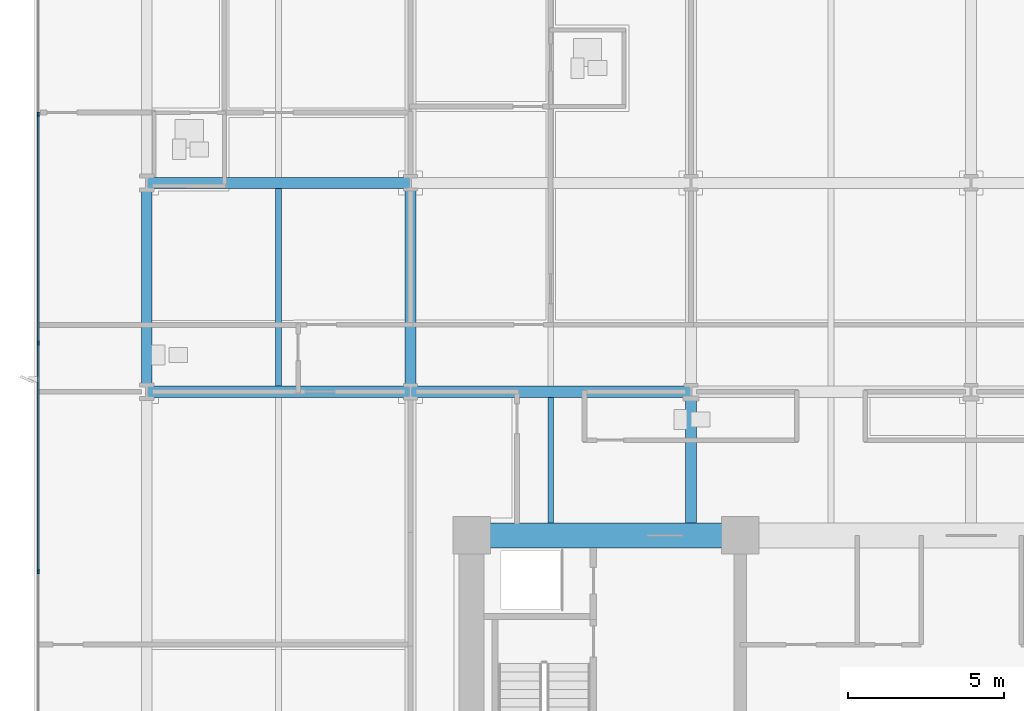
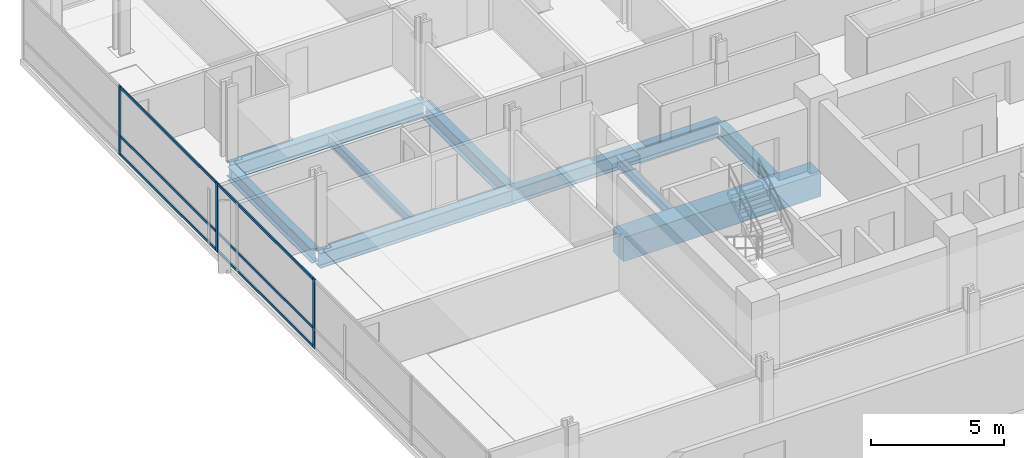
# One storey, part 4 of 20: 9 beams, 9 members, 1 element without a shape of its own.
"""IFC4 building model written with IfcOpenShell, lengths in metres."""

import ifcopenshell
import ifcopenshell.guid

model = None  # the IFC model being written
_history = None  # IfcOwnerHistory: only IFC2X3 demands one
_inside = {}  # id of a spatial element -> (the spatial element, [elements in it])
_under = {}  # id of a project, library or spatial element -> (it, [spatial elements below it])
_declared = {}  # id of a project -> (the project, [libraries it declares])
_typed = {}  # id of a type object -> (the type object, [elements of that type])
_made_of = {}  # id of a material, layer set ... -> (it, [elements and type objects made of it])


def new_model(schema):
    """Start an empty IFC model of exactly this schema.

    Asked for "IFC4X3", IfcOpenShell would pick the latest addendum, in which some entities
    have other attributes; the version numbers below select the first issue.
    IFC2X3 requires an IfcOwnerHistory on every rooted entity: one is made here for all.
    """
    global model, _history
    if schema == "IFC4X3":
        model = ifcopenshell.file(schema_version=(4, 3, 0, 0))
    else:
        model = ifcopenshell.file(schema=schema)
    _inside.clear()
    _under.clear()
    _declared.clear()
    _typed.clear()
    _made_of.clear()
    _history = None
    if model.schema == "IFC2X3":
        org = make("IfcOrganization", Name="unknown")
        user = make(
            "IfcPersonAndOrganization",
            ThePerson=make("IfcPerson", FamilyName="unknown"),
            TheOrganization=org,
        )
        app = make(
            "IfcApplication",
            ApplicationDeveloper=org,
            Version="unknown",
            ApplicationFullName="unknown",
            ApplicationIdentifier="unknown",
        )
        _history = make(
            "IfcOwnerHistory",
            OwningUser=user,
            OwningApplication=app,
            ChangeAction="ADDED",
            CreationDate=0,
        )
    return model


def make(cls, **values):
    """One entity of the class cls with the attributes given. An attribute that is None is left unset."""
    return model.create_entity(
        cls, **{name: value for name, value in values.items() if value is not None}
    )


def rooted(cls, **values):
    """An entity with a GlobalId (a new one), such as an element, a storey or a relation."""
    return make(cls, GlobalId=ifcopenshell.guid.new(), OwnerHistory=_history, **values)


def si_unit(unit_type, name, prefix=None):
    """IfcSIUnit, for example si_unit("LENGTHUNIT", "METRE", prefix="MILLI")."""
    return make("IfcSIUnit", UnitType=unit_type, Prefix=prefix, Name=name)


def assignment(units):
    """IfcUnitAssignment: the units of a project."""
    return None if units is None else make("IfcUnitAssignment", Units=units)


def point(xyz):
    """IfcCartesianPoint."""
    return None if xyz is None else make("IfcCartesianPoint", Coordinates=xyz)


def direction(xyz):
    """IfcDirection."""
    return None if xyz is None else make("IfcDirection", DirectionRatios=xyz)


def frame(location, z_axis=None, x_axis=None):
    """IfcAxis2Placement3D, a coordinate frame: its origin and axes. An axis left out is left unset."""
    return make(
        "IfcAxis2Placement3D",
        Location=point(location),
        Axis=direction(z_axis),
        RefDirection=direction(x_axis),
    )


def frame_2d(location, x_axis=None):
    """IfcAxis2Placement2D, a coordinate frame in the plane: its origin and x axis."""
    return make(
        "IfcAxis2Placement2D", Location=point(location), RefDirection=direction(x_axis)
    )


def origin():
    """The frame at (0, 0, 0) with its axes left unset."""
    return frame((0.0, 0.0, 0.0))


def origin_2d():
    """The frame at (0, 0) in the plane with its x axis left unset."""
    return frame_2d((0.0, 0.0))


def place(relative_to, where):
    """IfcLocalPlacement: puts the frame where relative to a parent placement (None: the world)."""
    return make(
        "IfcLocalPlacement", PlacementRelTo=relative_to, RelativePlacement=where
    )


def context(
    kind, dimensions, precision=None, world=None, true_north=None, identifier=None
):
    """IfcGeometricRepresentationContext, for example the 3D "Model" context."""
    return make(
        "IfcGeometricRepresentationContext",
        ContextIdentifier=identifier,
        ContextType=kind,
        CoordinateSpaceDimension=dimensions,
        Precision=precision,
        WorldCoordinateSystem=world,
        TrueNorth=true_north,
    )


def subcontext(parent, identifier, kind, view, scale=None):
    """IfcGeometricRepresentationSubContext, for example "Body" below "Model"."""
    return make(
        "IfcGeometricRepresentationSubContext",
        ContextIdentifier=identifier,
        ContextType=kind,
        ParentContext=parent,
        TargetScale=scale,
        TargetView=view,
    )


def project(units=None, contexts=None):
    """IfcProject with its units and contexts."""
    return rooted(
        "IfcProject",
        Name="project",
        RepresentationContexts=contexts,
        UnitsInContext=assignment(units),
    )


def spatial(cls, under=None, at=None, **own):
    """A site, building, storey or space (cls), placed at a placement, below another one or the project."""
    s = rooted(cls, ObjectPlacement=at, **own)
    if under is not None:
        _under.setdefault(under.id(), (under, []))[1].append(s)
    return s


def profile(cls, at=None, kind="AREA", **sizes):
    """A parametric profile (cls). Its sizes go by their IFC names, for example OverallWidth=200.0."""
    return make(cls, ProfileType=kind, Position=at, **sizes)


def rectangle(**sizes):
    """IfcRectangleProfileDef."""
    return profile("IfcRectangleProfileDef", **sizes)


def i_section(**sizes):
    """IfcIShapeProfileDef."""
    return profile("IfcIShapeProfileDef", **sizes)


def extrude(swept, where, along, depth):
    """IfcExtrudedAreaSolid: the profile swept, set in the frame where, extruded along a direction by depth."""
    return make(
        "IfcExtrudedAreaSolid",
        SweptArea=swept,
        Position=where,
        ExtrudedDirection=direction(along),
        Depth=depth,
    )


def shape(context_of_items, identifier, shape_type, items):
    """IfcShapeRepresentation: the items that make up one representation, for example the "Body"."""
    return make(
        "IfcShapeRepresentation",
        ContextOfItems=context_of_items,
        RepresentationIdentifier=identifier,
        RepresentationType=shape_type,
        Items=items,
    )


def material(Name=None, Category=None):
    """IfcMaterial."""
    return make("IfcMaterial", Name=Name, Category=Category)


def material_profile(
    of_material, cross_section, Name=None, Category=None, Priority=None
):
    """IfcMaterialProfile: a cross section and its material."""
    return make(
        "IfcMaterialProfile",
        Name=Name,
        Material=of_material,
        Profile=cross_section,
        Priority=Priority,
        Category=Category,
    )


def profile_set(profiles, Name=None, composite=None):
    """IfcMaterialProfileSet."""
    return make(
        "IfcMaterialProfileSet",
        Name=Name,
        MaterialProfiles=profiles,
        CompositeProfile=composite,
    )


def made_of(thing, what):
    """Note that an element or type object is made of a material, layer set ...; save() writes the relation."""
    if what is not None:
        _made_of.setdefault(what.id(), (what, []))[1].append(thing)
    return thing


def type_object(cls, material=None, **own):
    """A type object (cls), such as IfcWallType, which elements share."""
    return made_of(rooted(cls, **own), material)


def element(
    cls,
    number,
    at=None,
    inside=None,
    cuts=None,
    type_object=None,
    material=None,
    context=None,
    identifier="Body",
    shape_type=None,
    held_by="IfcProductDefinitionShape",
    body=None,
    shapes=None,
    **own,
):
    """One element of the class cls, such as IfcWall. Its Tag is "e" and its number.

    at: its placement. inside: the storey or other place that contains it. cuts: it is an
    opening in that element (IfcRelVoidsElement). A single representation is given by context,
    identifier, shape_type and body (its items); several are given by shapes. held_by: the class
    of the entity that holds the representations. save() writes the other relations.
    """
    e = rooted(cls, Tag="e%d" % number, ObjectPlacement=at, **own)
    if body is not None:
        shapes = [shape(context, identifier, shape_type, body)]
    if shapes is not None:
        e.Representation = make(held_by, Representations=shapes)
    if inside is not None:
        _inside.setdefault(inside.id(), (inside, []))[1].append(e)
    if cuts is not None:
        rooted(
            "IfcRelVoidsElement", RelatingBuildingElement=cuts, RelatedOpeningElement=e
        )
    if type_object is not None:
        _typed.setdefault(type_object.id(), (type_object, []))[1].append(e)
    return made_of(e, material)


def aggregate(whole, parts):
    """IfcRelAggregates: a whole, such as a stair, and the parts it consists of."""
    return rooted("IfcRelAggregates", RelatingObject=whole, RelatedObjects=parts)


def save(model, path):
    """Write the relations noted so far, then the file.

    IfcRelAggregates (storeys below a building ...), IfcRelContainedInSpatialStructure (elements
    in a storey), IfcRelDefinesByType, IfcRelAssociatesMaterial and IfcRelDeclares: one each for
    every whole, place, type object, material and project.
    """
    for whole, parts in _under.values():
        aggregate(whole, parts)
    for where, things in _inside.values():
        rooted(
            "IfcRelContainedInSpatialStructure",
            RelatedElements=things,
            RelatingStructure=where,
        )
    for kind, things in _typed.values():
        rooted("IfcRelDefinesByType", RelatedObjects=things, RelatingType=kind)
    for what, things in _made_of.values():
        rooted("IfcRelAssociatesMaterial", RelatedObjects=things, RelatingMaterial=what)
    for by, libraries in _declared.values():
        rooted("IfcRelDeclares", RelatingContext=by, RelatedDefinitions=libraries)
    model.write(path)


model = new_model("IFC4")

# Units and contexts
model_context = context("Model", 3, precision=1e-05, world=origin(), true_north=direction((0.0, 1.0)))
body_context = subcontext(model_context, "Body", "Model", "MODEL_VIEW")
ifc_project = project(units=[si_unit("LENGTHUNIT", "METRE"), si_unit("AREAUNIT", "SQUARE_METRE"), si_unit("VOLUMEUNIT", "CUBIC_METRE"), si_unit("PLANEANGLEUNIT", "RADIAN"), si_unit("MASSUNIT", "GRAM", prefix="KILO")], contexts=[model_context])

# Site, building, storey
site_placement = place(None, origin())
site = spatial("IfcSite", under=ifc_project, at=site_placement, CompositionType="ELEMENT")
building_placement = place(site_placement, origin())
building = spatial("IfcBuilding", under=site, at=building_placement, Name="Solmavex Isthmus Hotel", CompositionType="ELEMENT")
storey_placement = place(building_placement, frame((0.0, 0.0, 57.449951171875)))
storey = spatial("IfcBuildingStorey", under=building, at=storey_placement, Name="L15", CompositionType="ELEMENT", Elevation=57.449951171875)

# Beams
ifc_material_1 = material(Name="Steel ASTM A992 Grade 50", Category="steel")
ifc_material_profile_1 = material_profile(ifc_material_1, i_section(OverallWidth=0.354736328125, OverallDepth=0.695556640625, WebThickness=0.015380859375, FlangeThickness=0.02490234375, FilletRadius=0.017822265625, at=origin_2d()), Name="W27X146")
ifc_profile_set_1 = profile_set([ifc_material_profile_1], Name="Steel ASTM A992 Grade 50")
beam_type_1 = type_object("IfcBeamType", Name="BM-BG-W27X146", PredefinedType="BEAM", material=ifc_profile_set_1)
beam_1_placement = place(storey_placement, frame((-26.39990234375, 2.10009765625, -0.607666015625), z_axis=(1.0, 0.0, 0.0), x_axis=(0.0, 1.0, 0.0)))
element("IfcBeam", 1, at=beam_1_placement, inside=storey, type_object=beam_type_1, Name="Floor Girder L15-UG07", PredefinedType="BEAM", context=body_context, shape_type="SweptSolid", body=[
    extrude(i_section(OverallWidth=0.354736328125, OverallDepth=0.695556640625, WebThickness=0.015380859375, FlangeThickness=0.02490234375, FilletRadius=0.017822265625, at=origin_2d()), origin(), (0.0, 0.0, 1.0), 8.447998046875),
])
beam_2_placement = place(storey_placement, frame((-17.951904296875, 2.10009765625, -0.607666015625), z_axis=(1.0, 0.0, 0.0), x_axis=(0.0, 1.0, 0.0)))
element("IfcBeam", 2, at=beam_2_placement, inside=storey, type_object=beam_type_1, Name="Floor Girder L15-UG08", PredefinedType="BEAM", context=body_context, shape_type="SweptSolid", body=[
    extrude(i_section(OverallWidth=0.354736328125, OverallDepth=0.695556640625, WebThickness=0.015380859375, FlangeThickness=0.02490234375, FilletRadius=0.017822265625, at=origin_2d()), origin(), (0.0, 0.0, 1.0), 8.975830078125),
])
beam_3_placement = place(storey_placement, frame((-26.39990234375, 8.7880859375, -0.607666015625), z_axis=(1.0, 0.0, 0.0), x_axis=(0.0, 1.0, 0.0)))
element("IfcBeam", 3, at=beam_3_placement, inside=storey, type_object=beam_type_1, Name="Floor Girder L15-UG13", PredefinedType="BEAM", context=body_context, shape_type="SweptSolid", body=[
    extrude(i_section(OverallWidth=0.354736328125, OverallDepth=0.695556640625, WebThickness=0.015380859375, FlangeThickness=0.02490234375, FilletRadius=0.017822265625, at=origin_2d()), origin(), (0.0, 0.0, 1.0), 8.447998046875),
])
beam_4_placement = place(storey_placement, frame((-17.951904296875, 2.27734375, -0.607666015625), z_axis=(0.0, 1.0, 0.0), x_axis=(-1.0, 0.0, 0.0)))
element("IfcBeam", 4, at=beam_4_placement, inside=storey, type_object=beam_type_1, Name="Floor Beam L15-VG29", PredefinedType="BEAM", context=body_context, shape_type="SweptSolid", body=[
    extrude(i_section(OverallWidth=0.354736328125, OverallDepth=0.695556640625, WebThickness=0.015380859375, FlangeThickness=0.02490234375, FilletRadius=0.017822265625, at=origin_2d()), origin(), (0.0, 0.0, 1.0), 6.333251953125),
])
beam_5_placement = place(storey_placement, frame((-8.97607421875, -2.10009765625, -0.607666015625), z_axis=(0.0, 1.0, 0.0), x_axis=(-1.0, 0.0, 0.0)))
element("IfcBeam", 5, at=beam_5_placement, inside=storey, type_object=beam_type_1, Name="Floor Beam L15-VG32", PredefinedType="BEAM", context=body_context, shape_type="SweptSolid", body=[
    extrude(i_section(OverallWidth=0.354736328125, OverallDepth=0.695556640625, WebThickness=0.015380859375, FlangeThickness=0.02490234375, FilletRadius=0.017822265625, at=origin_2d()), origin(), (0.0, 0.0, 1.0), 4.022705078125),
])
ifc_material_profile_2 = material_profile(ifc_material_1, i_section(OverallWidth=0.1904296875, OverallDepth=0.456787109375, WebThickness=0.009033203125, FlangeThickness=0.014404296875, FilletRadius=0.0126953125, at=origin_2d()), Name="W18X50")
ifc_profile_set_2 = profile_set([ifc_material_profile_2], Name="Steel ASTM A992 Grade 50")
beam_type_2 = type_object("IfcBeamType", Name="BM-BJ-W18X50", PredefinedType="JOIST", material=ifc_profile_set_2)
beam_6_placement = place(storey_placement, frame((-22.176025390625, 2.27734375, -0.48828125), z_axis=(0.0, 1.0, 0.0), x_axis=(-1.0, 0.0, 0.0)))
element("IfcBeam", 6, at=beam_6_placement, inside=storey, type_object=beam_type_2, Name="Secondary Floor Joist L15-J02", PredefinedType="JOIST", context=body_context, shape_type="SweptSolid", body=[
    extrude(i_section(OverallWidth=0.1904296875, OverallDepth=0.456787109375, WebThickness=0.009033203125, FlangeThickness=0.014404296875, FilletRadius=0.0126953125, at=origin_2d()), origin(), (0.0, 0.0, 1.0), 6.333251953125),
])
beam_7_placement = place(storey_placement, frame((-13.464111328125, -2.10009765625, -0.48828125), z_axis=(0.0, 1.0, 0.0), x_axis=(-1.0, 0.0, 0.0)))
element("IfcBeam", 7, at=beam_7_placement, inside=storey, type_object=beam_type_2, Name="Secondary Floor Joist L15-J05", PredefinedType="JOIST", context=body_context, shape_type="SweptSolid", body=[
    extrude(i_section(OverallWidth=0.1904296875, OverallDepth=0.456787109375, WebThickness=0.009033203125, FlangeThickness=0.014404296875, FilletRadius=0.0126953125, at=origin_2d()), origin(), (0.0, 0.0, 1.0), 4.022705078125),
])
ifc_material_2 = material(Name="Concrete C70/85", Category="concrete")
ifc_material_profile_3 = material_profile(ifc_material_2, rectangle(XDim=0.800048828125, YDim=1.10009765625, at=origin_2d()), Name="RC800X1100")
ifc_profile_set_3 = profile_set([ifc_material_profile_3], Name="Concrete C70/85")
beam_type_3 = type_object("IfcBeamType", Name="BM-CB-800X1100", PredefinedType="BEAM", material=ifc_profile_set_3)
beam_8_placement = place(storey_placement, frame((-16.0, -2.5, -0.81005859375), z_axis=(1.0, 0.0, 0.0), x_axis=(0.0, 1.0, 0.0)))
element("IfcBeam", 8, at=beam_8_placement, inside=storey, type_object=beam_type_3, Name="Core Coupling Beam L15-CB4", PredefinedType="BEAM", context=body_context, shape_type="SweptSolid", body=[
    extrude(rectangle(XDim=0.800048828125, YDim=1.10009765625, at=origin_2d()), origin(), (0.0, 0.0, 1.0), 8.60009765625),
])
ifc_material_profile_4 = material_profile(ifc_material_1, i_section(OverallWidth=0.326416015625, OverallDepth=0.621826171875, WebThickness=0.015380859375, FlangeThickness=0.0244140625, FilletRadius=0.01513671875, at=origin_2d()), Name="W24X131")
ifc_profile_set_4 = profile_set([ifc_material_profile_4], Name="Steel ASTM A992 Grade 50")
beam_type_4 = type_object("IfcBeamType", Name="BM-SP-W24X131", PredefinedType="SPANDREL", material=ifc_profile_set_4)
beam_9_placement = place(storey_placement, frame((-26.39990234375, 2.27734375, -0.57080078125), z_axis=(0.0, 1.0, 0.0), x_axis=(-1.0, 0.0, 0.0)))
element("IfcBeam", 9, at=beam_9_placement, inside=storey, type_object=beam_type_4, Name="Floor Beam L15-VG26", PredefinedType="SPANDREL", context=body_context, shape_type="SweptSolid", body=[
    extrude(i_section(OverallWidth=0.326416015625, OverallDepth=0.621826171875, WebThickness=0.015380859375, FlangeThickness=0.0244140625, FilletRadius=0.01513671875, at=origin_2d()), origin(), (0.0, 0.0, 1.0), 6.333251953125),
])

# Curtain wall, members
ifc_material_3 = material(Name="Aluminium alloy 6063-T6", Category="aluminium")
curtain_wall_type = type_object("IfcCurtainWallType", Name="CW-SYS-06", PredefinedType="NOTDEFINED", material=ifc_material_3)
curtain_wall_placement = place(storey_placement, origin())
curtain_wall = element("IfcCurtainWall", 10, at=curtain_wall_placement, inside=storey, type_object=curtain_wall_type, Name="Stick Curtain Wall CWL-L15-W1", PredefinedType="NOTDEFINED")
ifc_material_profile_5 = material_profile(ifc_material_3, rectangle(XDim=0.06005859375, YDim=0.139892578125, at=origin_2d()), Name="CWM-60X140")
ifc_profile_set_5 = profile_set([ifc_material_profile_5], Name="Aluminium alloy 6063-T6")
member_type_1 = type_object("IfcMemberType", Name="CW-SYS-06-MUL", PredefinedType="MULLION", material=ifc_profile_set_5)
member_1_placement = place(storey_placement, frame((-29.8798828125, -3.659912109375, 0.0), z_axis=(0.0, 0.0, 1.0), x_axis=(-1.0, 0.0, 0.0)))
member_1 = element("IfcMember", 11, at=member_1_placement, type_object=member_type_1, Name="CW-06 mullion 3", PredefinedType="MULLION", context=body_context, shape_type="SweptSolid", body=[
    extrude(rectangle(XDim=0.06005859375, YDim=0.139892578125, at=origin_2d()), origin(), (0.0, 0.0, 1.0), 3.18994140625),
])
member_2_placement = place(storey_placement, frame((-29.8798828125, 3.659912109375, 0.0), z_axis=(0.0, 0.0, 1.0), x_axis=(-1.0, 0.0, 0.0)))
member_2 = element("IfcMember", 12, at=member_2_placement, type_object=member_type_1, Name="CW-06 mullion 4", PredefinedType="MULLION", context=body_context, shape_type="SweptSolid", body=[
    extrude(rectangle(XDim=0.06005859375, YDim=0.139892578125, at=origin_2d()), origin(), (0.0, 0.0, 1.0), 3.18994140625),
])
member_3_placement = place(storey_placement, frame((-29.8798828125, 10.97998046875, 0.0), z_axis=(0.0, 0.0, 1.0), x_axis=(-1.0, 0.0, 0.0)))
member_3 = element("IfcMember", 13, at=member_3_placement, type_object=member_type_1, Name="CW-06 mullion 5", PredefinedType="MULLION", context=body_context, shape_type="SweptSolid", body=[
    extrude(rectangle(XDim=0.06005859375, YDim=0.139892578125, at=origin_2d()), origin(), (0.0, 0.0, 1.0), 3.18994140625),
])
ifc_material_profile_6 = material_profile(ifc_material_3, rectangle(XDim=0.06005859375, YDim=0.114990234375, at=origin_2d()), Name="CWT-60X115")
ifc_profile_set_6 = profile_set([ifc_material_profile_6], Name="Aluminium alloy 6063-T6")
member_type_2 = type_object("IfcMemberType", Name="CW-SYS-06-TRN", PredefinedType="USERDEFINED", material=ifc_profile_set_6)
member_4_placement = place(storey_placement, frame((-29.8798828125, -3.6298828125, 0.0576171875), z_axis=(0.0, 1.0, 0.0), x_axis=(-1.0, 0.0, 0.0)))
member_4 = element("IfcMember", 14, at=member_4_placement, type_object=member_type_2, Name="CW-06 transom 3.1", ObjectType="TRANSOM", PredefinedType="USERDEFINED", context=body_context, shape_type="SweptSolid", body=[
    extrude(rectangle(XDim=0.06005859375, YDim=0.114990234375, at=origin_2d()), origin(), (0.0, 0.0, 1.0), 7.259765625),
])
member_5_placement = place(storey_placement, frame((-29.8798828125, -3.6298828125, 0.900146484375), z_axis=(0.0, 1.0, 0.0), x_axis=(-1.0, 0.0, 0.0)))
member_5 = element("IfcMember", 15, at=member_5_placement, type_object=member_type_2, Name="CW-06 transom 3.2", ObjectType="TRANSOM", PredefinedType="USERDEFINED", context=body_context, shape_type="SweptSolid", body=[
    extrude(rectangle(XDim=0.06005859375, YDim=0.114990234375, at=origin_2d()), origin(), (0.0, 0.0, 1.0), 7.259765625),
])
member_6_placement = place(storey_placement, frame((-29.8798828125, -3.6298828125, 3.132568359375), z_axis=(0.0, 1.0, 0.0), x_axis=(-1.0, 0.0, 0.0)))
member_6 = element("IfcMember", 16, at=member_6_placement, type_object=member_type_2, Name="CW-06 transom 3.3", ObjectType="TRANSOM", PredefinedType="USERDEFINED", context=body_context, shape_type="SweptSolid", body=[
    extrude(rectangle(XDim=0.06005859375, YDim=0.114990234375, at=origin_2d()), origin(), (0.0, 0.0, 1.0), 7.259765625),
])
member_7_placement = place(storey_placement, frame((-29.8798828125, 3.68994140625, 0.0576171875), z_axis=(0.0, 1.0, 0.0), x_axis=(-1.0, 0.0, 0.0)))
member_7 = element("IfcMember", 17, at=member_7_placement, type_object=member_type_2, Name="CW-06 transom 4.1", ObjectType="TRANSOM", PredefinedType="USERDEFINED", context=body_context, shape_type="SweptSolid", body=[
    extrude(rectangle(XDim=0.06005859375, YDim=0.114990234375, at=origin_2d()), origin(), (0.0, 0.0, 1.0), 7.260009765625),
])
member_8_placement = place(storey_placement, frame((-29.8798828125, 3.68994140625, 0.900146484375), z_axis=(0.0, 1.0, 0.0), x_axis=(-1.0, 0.0, 0.0)))
member_8 = element("IfcMember", 18, at=member_8_placement, type_object=member_type_2, Name="CW-06 transom 4.2", ObjectType="TRANSOM", PredefinedType="USERDEFINED", context=body_context, shape_type="SweptSolid", body=[
    extrude(rectangle(XDim=0.06005859375, YDim=0.114990234375, at=origin_2d()), origin(), (0.0, 0.0, 1.0), 7.260009765625),
])
member_9_placement = place(storey_placement, frame((-29.8798828125, 3.68994140625, 3.132568359375), z_axis=(0.0, 1.0, 0.0), x_axis=(-1.0, 0.0, 0.0)))
member_9 = element("IfcMember", 19, at=member_9_placement, type_object=member_type_2, Name="CW-06 transom 4.3", ObjectType="TRANSOM", PredefinedType="USERDEFINED", context=body_context, shape_type="SweptSolid", body=[
    extrude(rectangle(XDim=0.06005859375, YDim=0.114990234375, at=origin_2d()), origin(), (0.0, 0.0, 1.0), 7.260009765625),
])
aggregate(curtain_wall, [member_1, member_2, member_3, member_4, member_5, member_6, member_7, member_8, member_9])

save(model, "model.ifc")
